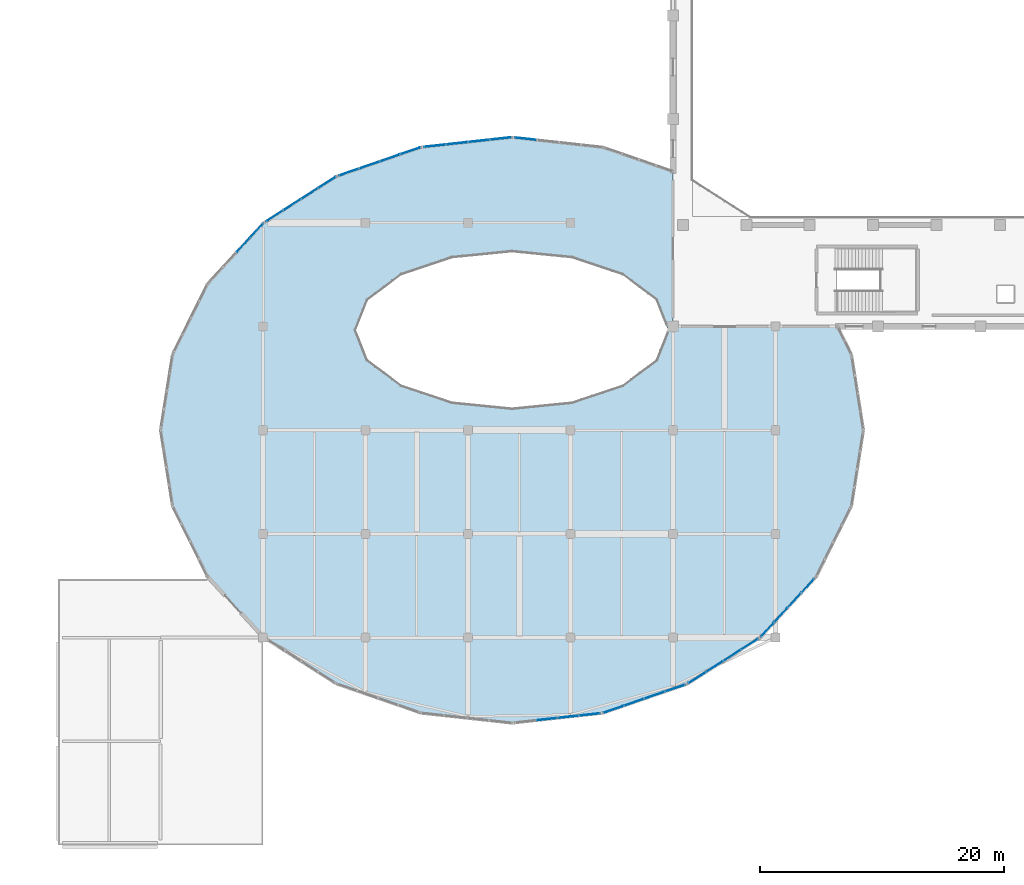
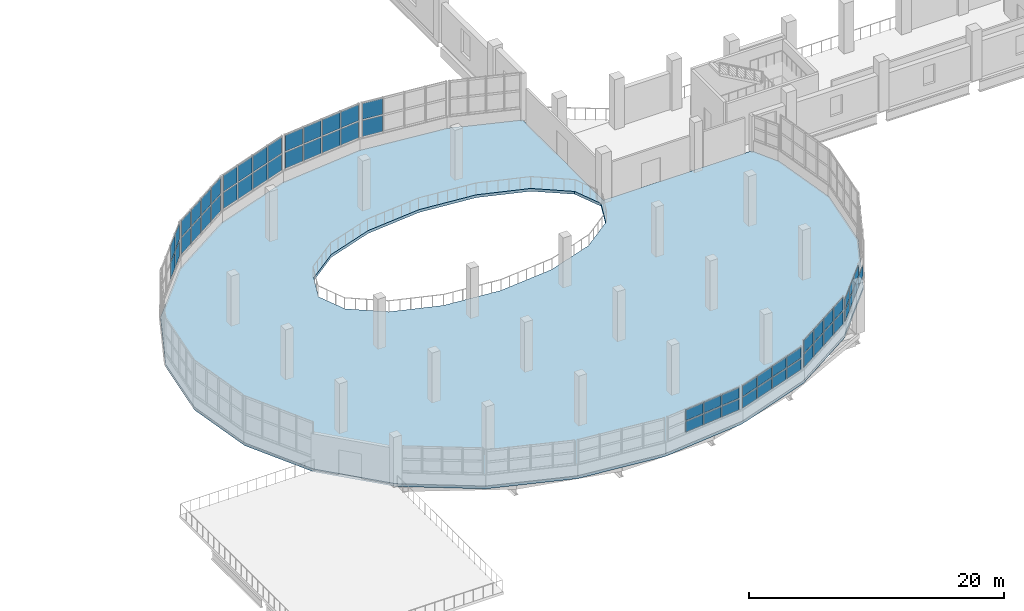
# One storey, part 51 of 77: 59 plates, 1 slab, 9 elements without a shape of their own.
"""IFC4 building model written with IfcOpenShell, lengths in metres."""

from ifc_helpers import new_model, si_unit, direction, frame, origin, origin_2d, place, context, subcontext, project, spatial, polyline, rectangle, outline, extrude, material, layer, layer_set, type_object, element, aggregate, save


model = new_model("IFC4")

# Units and contexts
model_context = context("Model", 3, precision=1e-05, world=origin(), true_north=direction((0.0, 1.0)))
body_context = subcontext(model_context, "Body", "Model", "MODEL_VIEW")
ifc_project = project(units=[si_unit("LENGTHUNIT", "METRE"), si_unit("AREAUNIT", "SQUARE_METRE"), si_unit("VOLUMEUNIT", "CUBIC_METRE"), si_unit("PLANEANGLEUNIT", "RADIAN"), si_unit("MASSUNIT", "GRAM", prefix="KILO")], contexts=[model_context])

# Site, building, storey
site_placement = place(None, origin())
site = spatial("IfcSite", under=ifc_project, at=site_placement, CompositionType="ELEMENT")
building_placement = place(site_placement, origin())
building = spatial("IfcBuilding", under=site, at=building_placement, Name="Solvento Point Concert Hall", CompositionType="ELEMENT")
storey_placement = place(building_placement, frame((0.0, 0.0, 10.199951171875)))
storey = spatial("IfcBuildingStorey", under=building, at=storey_placement, Name="L02", CompositionType="ELEMENT", Elevation=10.199951171875)

# Curtain wall, plates
ifc_material_1 = material(Name="Anodized Bronze Aluminium", Category="aluminium")
curtain_wall_type = type_object("IfcCurtainWallType", Name="CurtainWall_RingRibbon_L01_02", PredefinedType="USERDEFINED", material=ifc_material_1)
curtain_wall_1_placement = place(storey_placement, origin())
curtain_wall_1 = element("IfcCurtainWall", 1, at=curtain_wall_1_placement, inside=storey, type_object=curtain_wall_type, Name="Unitised curtain wall CW-59 UCW-L02-172", ObjectType="UNITISED CURTAIN WALL", PredefinedType="USERDEFINED")
ifc_material_2 = material(Name="Hurricane Laminated Low-E Glass", Category="glass")
plate_type = type_object("IfcPlateType", Name="CurtainPanel_RingLower", PredefinedType="CURTAIN_PANEL", material=ifc_material_2)
plate_1_placement = place(storey_placement, frame((39.162109375, 49.153564453125, 1.240234375), z_axis=(0.0, 0.0, 1.0), x_axis=(0.677365302802, 0.735646821892, 0.0)))
plate_1 = element("IfcPlate", 2, at=plate_1_placement, type_object=plate_type, Name="Glazed curtain panel GL-02", PredefinedType="CURTAIN_PANEL", context=body_context, shape_type="SweptSolid", body=[
    extrude(rectangle(XDim=1.506591796875, YDim=0.0439453125, at=origin_2d()), origin(), (0.0, 0.0, 1.0), 1.530029296875),
])
plate_2_placement = place(storey_placement, frame((39.162109375, 49.153564453125, 2.89013671875), z_axis=(0.0, 0.0, 1.0), x_axis=(0.677365302802, 0.735646821892, 0.0)))
plate_2 = element("IfcPlate", 3, at=plate_2_placement, type_object=plate_type, Name="Glazed curtain panel GL-02", PredefinedType="CURTAIN_PANEL", context=body_context, shape_type="SweptSolid", body=[
    extrude(rectangle(XDim=1.506591796875, YDim=0.0439453125, at=origin_2d()), origin(), (0.0, 0.0, 1.0), 1.530029296875),
])
plate_3_placement = place(storey_placement, frame((40.263916015625, 50.35009765625, 1.240234375), z_axis=(0.0, 0.0, 1.0), x_axis=(0.677365302802, 0.735646821892, 0.0)))
plate_3 = element("IfcPlate", 4, at=plate_3_placement, type_object=plate_type, Name="Glazed curtain panel GL-02", PredefinedType="CURTAIN_PANEL", context=body_context, shape_type="SweptSolid", body=[
    extrude(rectangle(XDim=1.506591796875, YDim=0.0439453125, at=origin_2d()), origin(), (0.0, 0.0, 1.0), 1.530029296875),
])
plate_4_placement = place(storey_placement, frame((40.263916015625, 50.35009765625, 2.89013671875), z_axis=(0.0, 0.0, 1.0), x_axis=(0.677365302802, 0.735646821892, 0.0)))
plate_4 = element("IfcPlate", 5, at=plate_4_placement, type_object=plate_type, Name="Glazed curtain panel GL-02", PredefinedType="CURTAIN_PANEL", context=body_context, shape_type="SweptSolid", body=[
    extrude(rectangle(XDim=1.506591796875, YDim=0.0439453125, at=origin_2d()), origin(), (0.0, 0.0, 1.0), 1.530029296875),
])
aggregate(curtain_wall_1, [plate_1, plate_2, plate_3, plate_4])

curtain_wall_2_placement = place(storey_placement, origin())
curtain_wall_2 = element("IfcCurtainWall", 6, at=curtain_wall_2_placement, inside=storey, type_object=curtain_wall_type, Name="Unitised curtain wall CW-59 UCW-L02-173", ObjectType="UNITISED CURTAIN WALL", PredefinedType="USERDEFINED")
plate_5_placement = place(storey_placement, frame((41.739990234375, 51.549072265625, 1.240234375), z_axis=(0.0, 0.0, 1.0), x_axis=(0.842490008251, 0.538711969421, 0.0)))
plate_5 = element("IfcPlate", 7, at=plate_5_placement, type_object=plate_type, Name="Glazed curtain panel GL-02", PredefinedType="CURTAIN_PANEL", context=body_context, shape_type="SweptSolid", body=[
    extrude(rectangle(XDim=1.58740234375, YDim=0.0439453125, at=origin_2d()), origin(), (0.0, 0.0, 1.0), 1.530029296875),
])
plate_6_placement = place(storey_placement, frame((41.739990234375, 51.549072265625, 2.89013671875), z_axis=(0.0, 0.0, 1.0), x_axis=(0.842490008251, 0.538711969421, 0.0)))
plate_6 = element("IfcPlate", 8, at=plate_6_placement, type_object=plate_type, Name="Glazed curtain panel GL-02", PredefinedType="CURTAIN_PANEL", context=body_context, shape_type="SweptSolid", body=[
    extrude(rectangle(XDim=1.58740234375, YDim=0.0439453125, at=origin_2d()), origin(), (0.0, 0.0, 1.0), 1.530029296875),
])
plate_7_placement = place(storey_placement, frame((43.178466796875, 52.468994140625, 1.240234375), z_axis=(0.0, 0.0, 1.0), x_axis=(0.842490008251, 0.538711969421, 0.0)))
plate_7 = element("IfcPlate", 9, at=plate_7_placement, type_object=plate_type, Name="Glazed curtain panel GL-02", PredefinedType="CURTAIN_PANEL", context=body_context, shape_type="SweptSolid", body=[
    extrude(rectangle(XDim=1.58740234375, YDim=0.0439453125, at=origin_2d()), origin(), (0.0, 0.0, 1.0), 1.530029296875),
])
plate_8_placement = place(storey_placement, frame((43.178466796875, 52.468994140625, 2.89013671875), z_axis=(0.0, 0.0, 1.0), x_axis=(0.842490008251, 0.538711969421, 0.0)))
plate_8 = element("IfcPlate", 10, at=plate_8_placement, type_object=plate_type, Name="Glazed curtain panel GL-02", PredefinedType="CURTAIN_PANEL", context=body_context, shape_type="SweptSolid", body=[
    extrude(rectangle(XDim=1.58740234375, YDim=0.0439453125, at=origin_2d()), origin(), (0.0, 0.0, 1.0), 1.530029296875),
])
plate_9_placement = place(storey_placement, frame((44.616943359375, 53.388671875, 1.240234375), z_axis=(0.0, 0.0, 1.0), x_axis=(0.842490008251, 0.538711969421, 0.0)))
plate_9 = element("IfcPlate", 11, at=plate_9_placement, type_object=plate_type, Name="Glazed curtain panel GL-02", PredefinedType="CURTAIN_PANEL", context=body_context, shape_type="SweptSolid", body=[
    extrude(rectangle(XDim=1.58740234375, YDim=0.0439453125, at=origin_2d()), origin(), (0.0, 0.0, 1.0), 1.530029296875),
])
plate_10_placement = place(storey_placement, frame((44.616943359375, 53.388671875, 2.89013671875), z_axis=(0.0, 0.0, 1.0), x_axis=(0.842490008251, 0.538711969421, 0.0)))
plate_10 = element("IfcPlate", 12, at=plate_10_placement, type_object=plate_type, Name="Glazed curtain panel GL-02", PredefinedType="CURTAIN_PANEL", context=body_context, shape_type="SweptSolid", body=[
    extrude(rectangle(XDim=1.58740234375, YDim=0.0439453125, at=origin_2d()), origin(), (0.0, 0.0, 1.0), 1.530029296875),
])
plate_11_placement = place(storey_placement, frame((46.055419921875, 54.30859375, 1.240234375), z_axis=(0.0, 0.0, 1.0), x_axis=(0.842490008251, 0.538711969421, 0.0)))
plate_11 = element("IfcPlate", 13, at=plate_11_placement, type_object=plate_type, Name="Glazed curtain panel GL-02", PredefinedType="CURTAIN_PANEL", context=body_context, shape_type="SweptSolid", body=[
    extrude(rectangle(XDim=1.58740234375, YDim=0.0439453125, at=origin_2d()), origin(), (0.0, 0.0, 1.0), 1.530029296875),
])
plate_12_placement = place(storey_placement, frame((46.055419921875, 54.30859375, 2.89013671875), z_axis=(0.0, 0.0, 1.0), x_axis=(0.842490008251, 0.538711969421, 0.0)))
plate_12 = element("IfcPlate", 14, at=plate_12_placement, type_object=plate_type, Name="Glazed curtain panel GL-02", PredefinedType="CURTAIN_PANEL", context=body_context, shape_type="SweptSolid", body=[
    extrude(rectangle(XDim=1.58740234375, YDim=0.0439453125, at=origin_2d()), origin(), (0.0, 0.0, 1.0), 1.530029296875),
])
aggregate(curtain_wall_2, [plate_5, plate_6, plate_7, plate_8, plate_9, plate_10, plate_11, plate_12])

curtain_wall_3_placement = place(storey_placement, origin())
curtain_wall_3 = element("IfcCurtainWall", 15, at=curtain_wall_3_placement, inside=storey, type_object=curtain_wall_type, Name="Unitised curtain wall CW-59 UCW-L02-174", ObjectType="UNITISED CURTAIN WALL", PredefinedType="USERDEFINED")
plate_13_placement = place(storey_placement, frame((47.8466796875, 55.14599609375, 1.240234375), z_axis=(0.0, 0.0, 1.0), x_axis=(0.945271125843, 0.326285915492, 0.0)))
plate_13 = element("IfcPlate", 16, at=plate_13_placement, type_object=plate_type, Name="Glazed curtain panel GL-02", PredefinedType="CURTAIN_PANEL", context=body_context, shape_type="SweptSolid", body=[
    extrude(rectangle(XDim=1.654541015625, YDim=0.0439453125, at=origin_2d()), origin(), (0.0, 0.0, 1.0), 1.530029296875),
])
plate_14_placement = place(storey_placement, frame((47.8466796875, 55.14599609375, 2.89013671875), z_axis=(0.0, 0.0, 1.0), x_axis=(0.945271125843, 0.326285915492, 0.0)))
plate_14 = element("IfcPlate", 17, at=plate_14_placement, type_object=plate_type, Name="Glazed curtain panel GL-02", PredefinedType="CURTAIN_PANEL", context=body_context, shape_type="SweptSolid", body=[
    extrude(rectangle(XDim=1.654541015625, YDim=0.0439453125, at=origin_2d()), origin(), (0.0, 0.0, 1.0), 1.530029296875),
])
plate_15_placement = place(storey_placement, frame((49.524169921875, 55.724853515625, 1.240234375), z_axis=(0.0, 0.0, 1.0), x_axis=(0.945271125843, 0.326285915492, 0.0)))
plate_15 = element("IfcPlate", 18, at=plate_15_placement, type_object=plate_type, Name="Glazed curtain panel GL-02", PredefinedType="CURTAIN_PANEL", context=body_context, shape_type="SweptSolid", body=[
    extrude(rectangle(XDim=1.654541015625, YDim=0.0439453125, at=origin_2d()), origin(), (0.0, 0.0, 1.0), 1.530029296875),
])
plate_16_placement = place(storey_placement, frame((49.524169921875, 55.724853515625, 2.89013671875), z_axis=(0.0, 0.0, 1.0), x_axis=(0.945271125843, 0.326285915492, 0.0)))
plate_16 = element("IfcPlate", 19, at=plate_16_placement, type_object=plate_type, Name="Glazed curtain panel GL-02", PredefinedType="CURTAIN_PANEL", context=body_context, shape_type="SweptSolid", body=[
    extrude(rectangle(XDim=1.654541015625, YDim=0.0439453125, at=origin_2d()), origin(), (0.0, 0.0, 1.0), 1.530029296875),
])
plate_17_placement = place(storey_placement, frame((51.201416015625, 56.303955078125, 1.240234375), z_axis=(0.0, 0.0, 1.0), x_axis=(0.945271125843, 0.326285915492, 0.0)))
plate_17 = element("IfcPlate", 20, at=plate_17_placement, type_object=plate_type, Name="Glazed curtain panel GL-02", PredefinedType="CURTAIN_PANEL", context=body_context, shape_type="SweptSolid", body=[
    extrude(rectangle(XDim=1.654541015625, YDim=0.0439453125, at=origin_2d()), origin(), (0.0, 0.0, 1.0), 1.530029296875),
])
plate_18_placement = place(storey_placement, frame((51.201416015625, 56.303955078125, 2.89013671875), z_axis=(0.0, 0.0, 1.0), x_axis=(0.945271125843, 0.326285915492, 0.0)))
plate_18 = element("IfcPlate", 21, at=plate_18_placement, type_object=plate_type, Name="Glazed curtain panel GL-02", PredefinedType="CURTAIN_PANEL", context=body_context, shape_type="SweptSolid", body=[
    extrude(rectangle(XDim=1.654541015625, YDim=0.0439453125, at=origin_2d()), origin(), (0.0, 0.0, 1.0), 1.530029296875),
])
plate_19_placement = place(storey_placement, frame((52.87890625, 56.8828125, 1.240234375), z_axis=(0.0, 0.0, 1.0), x_axis=(0.945271125843, 0.326285915492, 0.0)))
plate_19 = element("IfcPlate", 22, at=plate_19_placement, type_object=plate_type, Name="Glazed curtain panel GL-02", PredefinedType="CURTAIN_PANEL", context=body_context, shape_type="SweptSolid", body=[
    extrude(rectangle(XDim=1.654541015625, YDim=0.0439453125, at=origin_2d()), origin(), (0.0, 0.0, 1.0), 1.530029296875),
])
plate_20_placement = place(storey_placement, frame((52.87890625, 56.8828125, 2.89013671875), z_axis=(0.0, 0.0, 1.0), x_axis=(0.945271125843, 0.326285915492, 0.0)))
plate_20 = element("IfcPlate", 23, at=plate_20_placement, type_object=plate_type, Name="Glazed curtain panel GL-02", PredefinedType="CURTAIN_PANEL", context=body_context, shape_type="SweptSolid", body=[
    extrude(rectangle(XDim=1.654541015625, YDim=0.0439453125, at=origin_2d()), origin(), (0.0, 0.0, 1.0), 1.530029296875),
])
aggregate(curtain_wall_3, [plate_13, plate_14, plate_15, plate_16, plate_17, plate_18, plate_19, plate_20])

curtain_wall_4_placement = place(storey_placement, origin())
curtain_wall_4 = element("IfcCurtainWall", 24, at=curtain_wall_4_placement, inside=storey, type_object=curtain_wall_type, Name="Unitised curtain wall CW-59 UCW-L02-175", ObjectType="UNITISED CURTAIN WALL", PredefinedType="USERDEFINED")
plate_21_placement = place(storey_placement, frame((54.865478515625, 57.304931640625, 1.240234375), z_axis=(0.0, 0.0, 1.0), x_axis=(0.994035418963, 0.109057717961, 0.0)))
plate_21 = element("IfcPlate", 25, at=plate_21_placement, type_object=plate_type, Name="Glazed curtain panel GL-02", PredefinedType="CURTAIN_PANEL", context=body_context, shape_type="SweptSolid", body=[
    extrude(rectangle(XDim=1.692138671875, YDim=0.0439453125, at=origin_2d()), origin(), (0.0, 0.0, 1.0), 1.530029296875),
])
plate_22_placement = place(storey_placement, frame((54.865478515625, 57.304931640625, 2.89013671875), z_axis=(0.0, 0.0, 1.0), x_axis=(0.994035418963, 0.109057717961, 0.0)))
plate_22 = element("IfcPlate", 26, at=plate_22_placement, type_object=plate_type, Name="Glazed curtain panel GL-02", PredefinedType="CURTAIN_PANEL", context=body_context, shape_type="SweptSolid", body=[
    extrude(rectangle(XDim=1.692138671875, YDim=0.0439453125, at=origin_2d()), origin(), (0.0, 0.0, 1.0), 1.530029296875),
])
plate_23_placement = place(storey_placement, frame((56.666748046875, 57.502685546875, 1.240234375), z_axis=(0.0, 0.0, 1.0), x_axis=(0.994035418963, 0.109057717961, 0.0)))
plate_23 = element("IfcPlate", 27, at=plate_23_placement, type_object=plate_type, Name="Glazed curtain panel GL-02", PredefinedType="CURTAIN_PANEL", context=body_context, shape_type="SweptSolid", body=[
    extrude(rectangle(XDim=1.692138671875, YDim=0.0439453125, at=origin_2d()), origin(), (0.0, 0.0, 1.0), 1.530029296875),
])
plate_24_placement = place(storey_placement, frame((56.666748046875, 57.502685546875, 2.89013671875), z_axis=(0.0, 0.0, 1.0), x_axis=(0.994035418963, 0.109057717961, 0.0)))
plate_24 = element("IfcPlate", 28, at=plate_24_placement, type_object=plate_type, Name="Glazed curtain panel GL-02", PredefinedType="CURTAIN_PANEL", context=body_context, shape_type="SweptSolid", body=[
    extrude(rectangle(XDim=1.692138671875, YDim=0.0439453125, at=origin_2d()), origin(), (0.0, 0.0, 1.0), 1.530029296875),
])
plate_25_placement = place(storey_placement, frame((58.468017578125, 57.7001953125, 1.240234375), z_axis=(0.0, 0.0, 1.0), x_axis=(0.994035418963, 0.109057717961, 0.0)))
plate_25 = element("IfcPlate", 29, at=plate_25_placement, type_object=plate_type, Name="Glazed curtain panel GL-02", PredefinedType="CURTAIN_PANEL", context=body_context, shape_type="SweptSolid", body=[
    extrude(rectangle(XDim=1.692138671875, YDim=0.0439453125, at=origin_2d()), origin(), (0.0, 0.0, 1.0), 1.530029296875),
])
plate_26_placement = place(storey_placement, frame((58.468017578125, 57.7001953125, 2.89013671875), z_axis=(0.0, 0.0, 1.0), x_axis=(0.994035418963, 0.109057717961, 0.0)))
plate_26 = element("IfcPlate", 30, at=plate_26_placement, type_object=plate_type, Name="Glazed curtain panel GL-02", PredefinedType="CURTAIN_PANEL", context=body_context, shape_type="SweptSolid", body=[
    extrude(rectangle(XDim=1.692138671875, YDim=0.0439453125, at=origin_2d()), origin(), (0.0, 0.0, 1.0), 1.530029296875),
])
plate_27_placement = place(storey_placement, frame((60.26953125, 57.89794921875, 1.240234375), z_axis=(0.0, 0.0, 1.0), x_axis=(0.994035418963, 0.109057717961, 0.0)))
plate_27 = element("IfcPlate", 31, at=plate_27_placement, type_object=plate_type, Name="Glazed curtain panel GL-02", PredefinedType="CURTAIN_PANEL", context=body_context, shape_type="SweptSolid", body=[
    extrude(rectangle(XDim=1.692138671875, YDim=0.0439453125, at=origin_2d()), origin(), (0.0, 0.0, 1.0), 1.530029296875),
])
plate_28_placement = place(storey_placement, frame((60.26953125, 57.89794921875, 2.89013671875), z_axis=(0.0, 0.0, 1.0), x_axis=(0.994035418963, 0.109057717961, 0.0)))
plate_28 = element("IfcPlate", 32, at=plate_28_placement, type_object=plate_type, Name="Glazed curtain panel GL-02", PredefinedType="CURTAIN_PANEL", context=body_context, shape_type="SweptSolid", body=[
    extrude(rectangle(XDim=1.692138671875, YDim=0.0439453125, at=origin_2d()), origin(), (0.0, 0.0, 1.0), 1.530029296875),
])
aggregate(curtain_wall_4, [plate_21, plate_22, plate_23, plate_24, plate_25, plate_26, plate_27, plate_28])

curtain_wall_5_placement = place(storey_placement, origin())
curtain_wall_5 = element("IfcCurtainWall", 33, at=curtain_wall_5_placement, inside=storey, type_object=curtain_wall_type, Name="Unitised curtain wall CW-59 UCW-L02-176", ObjectType="UNITISED CURTAIN WALL", PredefinedType="USERDEFINED")
plate_29_placement = place(storey_placement, frame((62.3193359375, 57.877197265625, 1.240234375), z_axis=(0.0, 0.0, 1.0), x_axis=(0.994035418963, -0.109057717961, 0.0)))
plate_29 = element("IfcPlate", 34, at=plate_29_placement, type_object=plate_type, Name="Glazed curtain panel GL-02", PredefinedType="CURTAIN_PANEL", context=body_context, shape_type="SweptSolid", body=[
    extrude(rectangle(XDim=1.692138671875, YDim=0.0439453125, at=origin_2d()), origin(), (0.0, 0.0, 1.0), 1.530029296875),
])
plate_30_placement = place(storey_placement, frame((62.3193359375, 57.877197265625, 2.89013671875), z_axis=(0.0, 0.0, 1.0), x_axis=(0.994035418963, -0.109057717961, 0.0)))
plate_30 = element("IfcPlate", 35, at=plate_30_placement, type_object=plate_type, Name="Glazed curtain panel GL-02", PredefinedType="CURTAIN_PANEL", context=body_context, shape_type="SweptSolid", body=[
    extrude(rectangle(XDim=1.692138671875, YDim=0.0439453125, at=origin_2d()), origin(), (0.0, 0.0, 1.0), 1.530029296875),
])
aggregate(curtain_wall_5, [plate_29, plate_30])

curtain_wall_6_placement = place(storey_placement, origin())
curtain_wall_6 = element("IfcCurtainWall", 36, at=curtain_wall_6_placement, inside=storey, type_object=curtain_wall_type, Name="Unitised curtain wall CW-59 UCW-L02-182", ObjectType="UNITISED CURTAIN WALL", PredefinedType="USERDEFINED")
plate_31_placement = place(storey_placement, frame((85.44140625, 21.23974609375, 1.239990234375), z_axis=(0.0, 0.0, 1.0), x_axis=(-0.677365302802, -0.735646821892, 0.0)))
plate_31 = element("IfcPlate", 37, at=plate_31_placement, type_object=plate_type, Name="Glazed curtain panel GL-02", PredefinedType="CURTAIN_PANEL", context=body_context, shape_type="SweptSolid", body=[
    extrude(rectangle(XDim=1.506591796875, YDim=0.0439453125, at=origin_2d()), origin(), (0.0, 0.0, 1.0), 1.0009765625),
])
plate_32_placement = place(storey_placement, frame((84.339599609375, 20.043212890625, 1.239990234375), z_axis=(0.0, 0.0, 1.0), x_axis=(-0.677365302802, -0.735646821892, 0.0)))
plate_32 = element("IfcPlate", 38, at=plate_32_placement, type_object=plate_type, Name="Glazed curtain panel GL-02", PredefinedType="CURTAIN_PANEL", context=body_context, shape_type="SweptSolid", body=[
    extrude(rectangle(XDim=1.506591796875, YDim=0.0439453125, at=origin_2d()), origin(), (0.0, 0.0, 1.0), 1.0009765625),
])
plate_33_placement = place(storey_placement, frame((84.339599609375, 20.043212890625, 2.361083984375), z_axis=(0.0, 0.0, 1.0), x_axis=(-0.677365302802, -0.735646821892, 0.0)))
plate_33 = element("IfcPlate", 39, at=plate_33_placement, type_object=plate_type, Name="Glazed curtain panel GL-02", PredefinedType="CURTAIN_PANEL", context=body_context, shape_type="SweptSolid", body=[
    extrude(rectangle(XDim=1.506591796875, YDim=0.0439453125, at=origin_2d()), origin(), (0.0, 0.0, 1.0), 1.0009765625),
])
plate_34_placement = place(storey_placement, frame((83.23779296875, 18.846435546875, 1.239990234375), z_axis=(0.0, 0.0, 1.0), x_axis=(-0.677365302802, -0.735646821892, 0.0)))
plate_34 = element("IfcPlate", 40, at=plate_34_placement, type_object=plate_type, Name="Glazed curtain panel GL-02", PredefinedType="CURTAIN_PANEL", context=body_context, shape_type="SweptSolid", body=[
    extrude(rectangle(XDim=1.506591796875, YDim=0.0439453125, at=origin_2d()), origin(), (0.0, 0.0, 1.0), 1.0009765625),
])
plate_35_placement = place(storey_placement, frame((83.23779296875, 18.846435546875, 2.361083984375), z_axis=(0.0, 0.0, 1.0), x_axis=(-0.677365302802, -0.735646821892, 0.0)))
plate_35 = element("IfcPlate", 41, at=plate_35_placement, type_object=plate_type, Name="Glazed curtain panel GL-02", PredefinedType="CURTAIN_PANEL", context=body_context, shape_type="SweptSolid", body=[
    extrude(rectangle(XDim=1.506591796875, YDim=0.0439453125, at=origin_2d()), origin(), (0.0, 0.0, 1.0), 1.0009765625),
])
plate_36_placement = place(storey_placement, frame((82.135986328125, 17.64990234375, 1.239990234375), z_axis=(0.0, 0.0, 1.0), x_axis=(-0.677365302802, -0.735646821892, 0.0)))
plate_36 = element("IfcPlate", 42, at=plate_36_placement, type_object=plate_type, Name="Glazed curtain panel GL-02", PredefinedType="CURTAIN_PANEL", context=body_context, shape_type="SweptSolid", body=[
    extrude(rectangle(XDim=1.506591796875, YDim=0.0439453125, at=origin_2d()), origin(), (0.0, 0.0, 1.0), 1.0009765625),
])
plate_37_placement = place(storey_placement, frame((82.135986328125, 17.64990234375, 2.361083984375), z_axis=(0.0, 0.0, 1.0), x_axis=(-0.677365302802, -0.735646821892, 0.0)))
plate_37 = element("IfcPlate", 43, at=plate_37_placement, type_object=plate_type, Name="Glazed curtain panel GL-02", PredefinedType="CURTAIN_PANEL", context=body_context, shape_type="SweptSolid", body=[
    extrude(rectangle(XDim=1.506591796875, YDim=0.0439453125, at=origin_2d()), origin(), (0.0, 0.0, 1.0), 1.0009765625),
])
aggregate(curtain_wall_6, [plate_31, plate_32, plate_33, plate_34, plate_35, plate_36, plate_37])

curtain_wall_7_placement = place(storey_placement, origin())
curtain_wall_7 = element("IfcCurtainWall", 44, at=curtain_wall_7_placement, inside=storey, type_object=curtain_wall_type, Name="Unitised curtain wall CW-59 UCW-L02-183", ObjectType="UNITISED CURTAIN WALL", PredefinedType="USERDEFINED")
plate_38_placement = place(storey_placement, frame((80.66015625, 16.450927734375, 1.240234375), z_axis=(0.0, 0.0, 1.0), x_axis=(-0.842490008251, -0.538711969421, 0.0)))
plate_38 = element("IfcPlate", 45, at=plate_38_placement, type_object=plate_type, Name="Glazed curtain panel GL-02", PredefinedType="CURTAIN_PANEL", context=body_context, shape_type="SweptSolid", body=[
    extrude(rectangle(XDim=1.58740234375, YDim=0.0439453125, at=origin_2d()), origin(), (0.0, 0.0, 1.0), 1.218017578125),
])
plate_39_placement = place(storey_placement, frame((80.66015625, 16.450927734375, 2.578125), z_axis=(0.0, 0.0, 1.0), x_axis=(-0.842490008251, -0.538711969421, 0.0)))
plate_39 = element("IfcPlate", 46, at=plate_39_placement, type_object=plate_type, Name="Glazed curtain panel GL-02", PredefinedType="CURTAIN_PANEL", context=body_context, shape_type="SweptSolid", body=[
    extrude(rectangle(XDim=1.58740234375, YDim=0.0439453125, at=origin_2d()), origin(), (0.0, 0.0, 1.0), 1.218017578125),
])
plate_40_placement = place(storey_placement, frame((79.2216796875, 15.531005859375, 1.240234375), z_axis=(0.0, 0.0, 1.0), x_axis=(-0.842490008251, -0.538711969421, 0.0)))
plate_40 = element("IfcPlate", 47, at=plate_40_placement, type_object=plate_type, Name="Glazed curtain panel GL-02", PredefinedType="CURTAIN_PANEL", context=body_context, shape_type="SweptSolid", body=[
    extrude(rectangle(XDim=1.58740234375, YDim=0.0439453125, at=origin_2d()), origin(), (0.0, 0.0, 1.0), 1.218017578125),
])
plate_41_placement = place(storey_placement, frame((79.2216796875, 15.531005859375, 2.578125), z_axis=(0.0, 0.0, 1.0), x_axis=(-0.842490008251, -0.538711969421, 0.0)))
plate_41 = element("IfcPlate", 48, at=plate_41_placement, type_object=plate_type, Name="Glazed curtain panel GL-02", PredefinedType="CURTAIN_PANEL", context=body_context, shape_type="SweptSolid", body=[
    extrude(rectangle(XDim=1.58740234375, YDim=0.0439453125, at=origin_2d()), origin(), (0.0, 0.0, 1.0), 1.218017578125),
])
plate_42_placement = place(storey_placement, frame((77.783203125, 14.611328125, 1.240234375), z_axis=(0.0, 0.0, 1.0), x_axis=(-0.842490008251, -0.538711969421, 0.0)))
plate_42 = element("IfcPlate", 49, at=plate_42_placement, type_object=plate_type, Name="Glazed curtain panel GL-02", PredefinedType="CURTAIN_PANEL", context=body_context, shape_type="SweptSolid", body=[
    extrude(rectangle(XDim=1.58740234375, YDim=0.0439453125, at=origin_2d()), origin(), (0.0, 0.0, 1.0), 1.218017578125),
])
plate_43_placement = place(storey_placement, frame((77.783203125, 14.611328125, 2.578125), z_axis=(0.0, 0.0, 1.0), x_axis=(-0.842490008251, -0.538711969421, 0.0)))
plate_43 = element("IfcPlate", 50, at=plate_43_placement, type_object=plate_type, Name="Glazed curtain panel GL-02", PredefinedType="CURTAIN_PANEL", context=body_context, shape_type="SweptSolid", body=[
    extrude(rectangle(XDim=1.58740234375, YDim=0.0439453125, at=origin_2d()), origin(), (0.0, 0.0, 1.0), 1.218017578125),
])
plate_44_placement = place(storey_placement, frame((76.344482421875, 13.69140625, 1.240234375), z_axis=(0.0, 0.0, 1.0), x_axis=(-0.842490008251, -0.538711969421, 0.0)))
plate_44 = element("IfcPlate", 51, at=plate_44_placement, type_object=plate_type, Name="Glazed curtain panel GL-02", PredefinedType="CURTAIN_PANEL", context=body_context, shape_type="SweptSolid", body=[
    extrude(rectangle(XDim=1.58740234375, YDim=0.0439453125, at=origin_2d()), origin(), (0.0, 0.0, 1.0), 1.218017578125),
])
plate_45_placement = place(storey_placement, frame((76.344482421875, 13.69140625, 2.578125), z_axis=(0.0, 0.0, 1.0), x_axis=(-0.842490008251, -0.538711969421, 0.0)))
plate_45 = element("IfcPlate", 52, at=plate_45_placement, type_object=plate_type, Name="Glazed curtain panel GL-02", PredefinedType="CURTAIN_PANEL", context=body_context, shape_type="SweptSolid", body=[
    extrude(rectangle(XDim=1.58740234375, YDim=0.0439453125, at=origin_2d()), origin(), (0.0, 0.0, 1.0), 1.218017578125),
])
aggregate(curtain_wall_7, [plate_38, plate_39, plate_40, plate_41, plate_42, plate_43, plate_44, plate_45])

curtain_wall_8_placement = place(storey_placement, origin())
curtain_wall_8 = element("IfcCurtainWall", 53, at=curtain_wall_8_placement, inside=storey, type_object=curtain_wall_type, Name="Unitised curtain wall CW-59 UCW-L02-184", ObjectType="UNITISED CURTAIN WALL", PredefinedType="USERDEFINED")
plate_46_placement = place(storey_placement, frame((74.55322265625, 12.85400390625, 1.239990234375), z_axis=(0.0, 0.0, 1.0), x_axis=(-0.945271125843, -0.326285915492, 0.0)))
plate_46 = element("IfcPlate", 54, at=plate_46_placement, type_object=plate_type, Name="Glazed curtain panel GL-02", PredefinedType="CURTAIN_PANEL", context=body_context, shape_type="SweptSolid", body=[
    extrude(rectangle(XDim=1.654541015625, YDim=0.0439453125, at=origin_2d()), origin(), (0.0, 0.0, 1.0), 1.0009765625),
])
plate_47_placement = place(storey_placement, frame((74.55322265625, 12.85400390625, 2.361083984375), z_axis=(0.0, 0.0, 1.0), x_axis=(-0.945271125843, -0.326285915492, 0.0)))
plate_47 = element("IfcPlate", 55, at=plate_47_placement, type_object=plate_type, Name="Glazed curtain panel GL-02", PredefinedType="CURTAIN_PANEL", context=body_context, shape_type="SweptSolid", body=[
    extrude(rectangle(XDim=1.654541015625, YDim=0.0439453125, at=origin_2d()), origin(), (0.0, 0.0, 1.0), 1.0009765625),
])
plate_48_placement = place(storey_placement, frame((72.8759765625, 12.275146484375, 1.239990234375), z_axis=(0.0, 0.0, 1.0), x_axis=(-0.945271125843, -0.326285915492, 0.0)))
plate_48 = element("IfcPlate", 56, at=plate_48_placement, type_object=plate_type, Name="Glazed curtain panel GL-02", PredefinedType="CURTAIN_PANEL", context=body_context, shape_type="SweptSolid", body=[
    extrude(rectangle(XDim=1.654541015625, YDim=0.0439453125, at=origin_2d()), origin(), (0.0, 0.0, 1.0), 1.0009765625),
])
plate_49_placement = place(storey_placement, frame((72.8759765625, 12.275146484375, 2.361083984375), z_axis=(0.0, 0.0, 1.0), x_axis=(-0.945271125843, -0.326285915492, 0.0)))
plate_49 = element("IfcPlate", 57, at=plate_49_placement, type_object=plate_type, Name="Glazed curtain panel GL-02", PredefinedType="CURTAIN_PANEL", context=body_context, shape_type="SweptSolid", body=[
    extrude(rectangle(XDim=1.654541015625, YDim=0.0439453125, at=origin_2d()), origin(), (0.0, 0.0, 1.0), 1.0009765625),
])
plate_50_placement = place(storey_placement, frame((71.198486328125, 11.696044921875, 1.239990234375), z_axis=(0.0, 0.0, 1.0), x_axis=(-0.945271125843, -0.326285915492, 0.0)))
plate_50 = element("IfcPlate", 58, at=plate_50_placement, type_object=plate_type, Name="Glazed curtain panel GL-02", PredefinedType="CURTAIN_PANEL", context=body_context, shape_type="SweptSolid", body=[
    extrude(rectangle(XDim=1.654541015625, YDim=0.0439453125, at=origin_2d()), origin(), (0.0, 0.0, 1.0), 1.0009765625),
])
plate_51_placement = place(storey_placement, frame((71.198486328125, 11.696044921875, 2.361083984375), z_axis=(0.0, 0.0, 1.0), x_axis=(-0.945271125843, -0.326285915492, 0.0)))
plate_51 = element("IfcPlate", 59, at=plate_51_placement, type_object=plate_type, Name="Glazed curtain panel GL-02", PredefinedType="CURTAIN_PANEL", context=body_context, shape_type="SweptSolid", body=[
    extrude(rectangle(XDim=1.654541015625, YDim=0.0439453125, at=origin_2d()), origin(), (0.0, 0.0, 1.0), 1.0009765625),
])
plate_52_placement = place(storey_placement, frame((69.52099609375, 11.1171875, 1.239990234375), z_axis=(0.0, 0.0, 1.0), x_axis=(-0.945271125843, -0.326285915492, 0.0)))
plate_52 = element("IfcPlate", 60, at=plate_52_placement, type_object=plate_type, Name="Glazed curtain panel GL-02", PredefinedType="CURTAIN_PANEL", context=body_context, shape_type="SweptSolid", body=[
    extrude(rectangle(XDim=1.654541015625, YDim=0.0439453125, at=origin_2d()), origin(), (0.0, 0.0, 1.0), 1.0009765625),
])
plate_53_placement = place(storey_placement, frame((69.52099609375, 11.1171875, 2.361083984375), z_axis=(0.0, 0.0, 1.0), x_axis=(-0.945271125843, -0.326285915492, 0.0)))
plate_53 = element("IfcPlate", 61, at=plate_53_placement, type_object=plate_type, Name="Glazed curtain panel GL-02", PredefinedType="CURTAIN_PANEL", context=body_context, shape_type="SweptSolid", body=[
    extrude(rectangle(XDim=1.654541015625, YDim=0.0439453125, at=origin_2d()), origin(), (0.0, 0.0, 1.0), 1.0009765625),
])
aggregate(curtain_wall_8, [plate_46, plate_47, plate_48, plate_49, plate_50, plate_51, plate_52, plate_53])

curtain_wall_9_placement = place(storey_placement, origin())
curtain_wall_9 = element("IfcCurtainWall", 62, at=curtain_wall_9_placement, inside=storey, type_object=curtain_wall_type, Name="Unitised curtain wall CW-59 UCW-L02-185", ObjectType="UNITISED CURTAIN WALL", PredefinedType="USERDEFINED")
plate_54_placement = place(storey_placement, frame((67.55810546875, 10.697509765625, 1.239990234375), z_axis=(0.0, 0.0, 1.0), x_axis=(-0.994035418963, -0.109057717961, 0.0)))
plate_54 = element("IfcPlate", 63, at=plate_54_placement, type_object=plate_type, Name="Glazed curtain panel GL-02", PredefinedType="CURTAIN_PANEL", context=body_context, shape_type="SweptSolid", body=[
    extrude(rectangle(XDim=1.644775390625, YDim=0.0439453125, at=origin_2d()), origin(), (0.0, 0.0, 1.0), 1.0009765625),
])
plate_55_placement = place(storey_placement, frame((67.55810546875, 10.697509765625, 2.361083984375), z_axis=(0.0, 0.0, 1.0), x_axis=(-0.994035418963, -0.109057717961, 0.0)))
plate_55 = element("IfcPlate", 64, at=plate_55_placement, type_object=plate_type, Name="Glazed curtain panel GL-02", PredefinedType="CURTAIN_PANEL", context=body_context, shape_type="SweptSolid", body=[
    extrude(rectangle(XDim=1.644775390625, YDim=0.0439453125, at=origin_2d()), origin(), (0.0, 0.0, 1.0), 1.0009765625),
])
plate_56_placement = place(storey_placement, frame((65.80419921875, 10.505126953125, 1.239990234375), z_axis=(0.0, 0.0, 1.0), x_axis=(-0.994035418963, -0.109057717961, 0.0)))
plate_56 = element("IfcPlate", 65, at=plate_56_placement, type_object=plate_type, Name="Glazed curtain panel GL-02", PredefinedType="CURTAIN_PANEL", context=body_context, shape_type="SweptSolid", body=[
    extrude(rectangle(XDim=1.644775390625, YDim=0.0439453125, at=origin_2d()), origin(), (0.0, 0.0, 1.0), 1.0009765625),
])
plate_57_placement = place(storey_placement, frame((65.80419921875, 10.505126953125, 2.361083984375), z_axis=(0.0, 0.0, 1.0), x_axis=(-0.994035418963, -0.109057717961, 0.0)))
plate_57 = element("IfcPlate", 66, at=plate_57_placement, type_object=plate_type, Name="Glazed curtain panel GL-02", PredefinedType="CURTAIN_PANEL", context=body_context, shape_type="SweptSolid", body=[
    extrude(rectangle(XDim=1.644775390625, YDim=0.0439453125, at=origin_2d()), origin(), (0.0, 0.0, 1.0), 1.0009765625),
])
plate_58_placement = place(storey_placement, frame((64.0498046875, 10.312744140625, 1.239990234375), z_axis=(0.0, 0.0, 1.0), x_axis=(-0.994035418963, -0.109057717961, 0.0)))
plate_58 = element("IfcPlate", 67, at=plate_58_placement, type_object=plate_type, Name="Glazed curtain panel GL-02", PredefinedType="CURTAIN_PANEL", context=body_context, shape_type="SweptSolid", body=[
    extrude(rectangle(XDim=1.644775390625, YDim=0.0439453125, at=origin_2d()), origin(), (0.0, 0.0, 1.0), 1.0009765625),
])
plate_59_placement = place(storey_placement, frame((64.0498046875, 10.312744140625, 2.361083984375), z_axis=(0.0, 0.0, 1.0), x_axis=(-0.994035418963, -0.109057717961, 0.0)))
plate_59 = element("IfcPlate", 68, at=plate_59_placement, type_object=plate_type, Name="Glazed curtain panel GL-02", PredefinedType="CURTAIN_PANEL", context=body_context, shape_type="SweptSolid", body=[
    extrude(rectangle(XDim=1.644775390625, YDim=0.0439453125, at=origin_2d()), origin(), (0.0, 0.0, 1.0), 1.0009765625),
])
aggregate(curtain_wall_9, [plate_54, plate_55, plate_56, plate_57, plate_58, plate_59])

# Slab
ifc_material_3 = material(Name="Concrete C35/45", Category="concrete")
ifc_layer = layer(ifc_material_3, 0.27001953125)
ifc_layer_set = layer_set([ifc_layer], Name="Concrete C35/45")
slab_type = type_object("IfcSlabType", Name="FloorSlab_270", PredefinedType="FLOOR", material=ifc_layer_set)
slab_placement = place(storey_placement, frame((0.0, 0.0, -0.27001953125)))
element("IfcSlab", 69, at=slab_placement, inside=storey, type_object=slab_type, Name="Structural slab SL-L02 SLAB-L02-V2RING", PredefinedType="FLOOR", context=body_context, shape_type="SweptSolid", body=[
    extrude(outline(polyline([(81.564697265625, 17.029296875), (75.60009765625, 13.21533203125), (68.654052734375, 10.81787109375), (61.199951171875, 10.0), (53.74609375, 10.81787109375), (46.800048828125, 13.21533203125), (40.835205078125, 17.029296875), (36.258544921875, 22.0), (33.38134765625, 27.788330078125), (32.39990234375, 34.0), (33.38134765625, 40.211669921875), (36.258544921875, 46.0), (40.835205078125, 50.970703125), (46.800048828125, 54.78466796875), (53.74609375, 57.18212890625), (61.199951171875, 58.0), (68.654052734375, 57.18212890625), (74.39990234375, 55.19873046875), (74.39990234375, 42.5), (87.88134765625, 42.5), (89.018798828125, 40.211669921875), (90.0, 34.0), (89.018798828125, 27.788330078125), (86.1416015625, 22.0), (81.564697265625, 17.029296875)]), holes=[polyline([(66.098388671875, 48.11279296875), (61.199951171875, 48.60009765625), (56.3017578125, 48.11279296875), (52.14892578125, 46.7255859375), (49.374267578125, 44.649169921875), (48.39990234375, 42.199951171875), (49.374267578125, 39.750732421875), (52.14892578125, 37.674560546875), (56.3017578125, 36.287109375), (61.199951171875, 35.800048828125), (66.098388671875, 36.287109375), (70.2509765625, 37.674560546875), (73.025634765625, 39.750732421875), (74.0, 42.199951171875), (73.025634765625, 44.649169921875), (70.2509765625, 46.7255859375), (66.098388671875, 48.11279296875)])]), origin(), (0.0, 0.0, 1.0), 0.27001953125),
])

save(model, "model.ifc")
